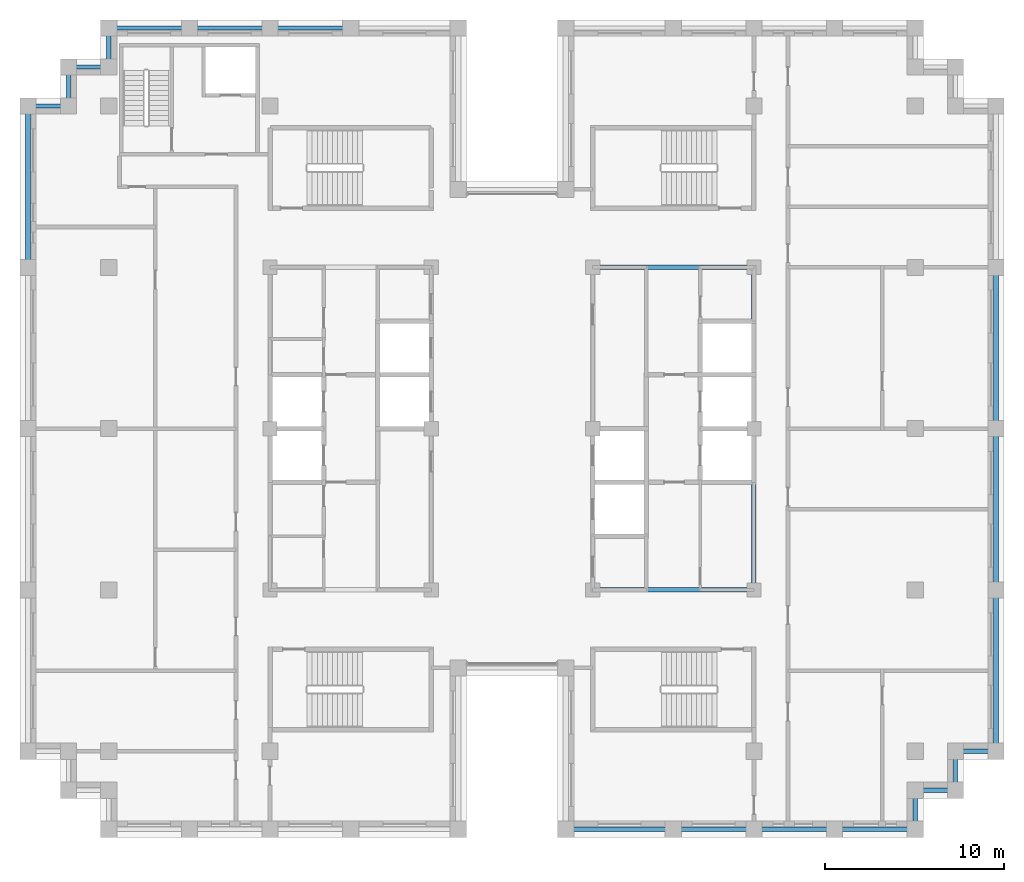
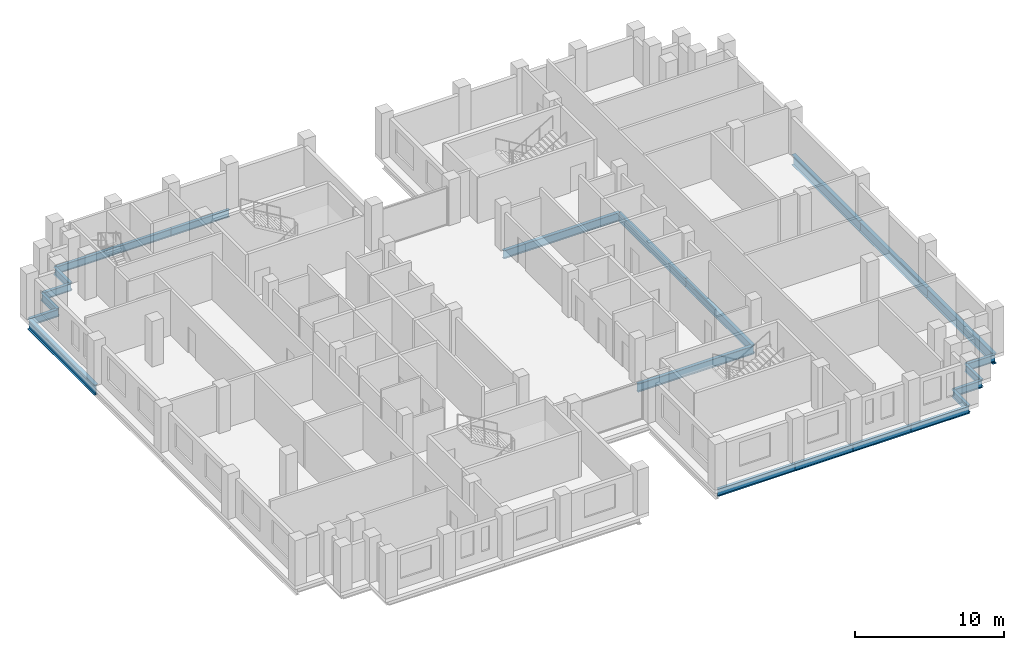
# One storey, part 3 of 13: 23 beams.
"""IFC4 building model written with IfcOpenShell, lengths in metres."""

from ifc_helpers import new_model, si_unit, direction, frame, origin, origin_2d, place, context, subcontext, project, spatial, i_section, extrude, material, material_profile, profile_set, type_object, element, save


model = new_model("IFC4")

# Units and contexts
model_context = context("Model", 3, precision=1e-05, world=origin(), true_north=direction((0.0, 1.0)))
body_context = subcontext(model_context, "Body", "Model", "MODEL_VIEW")
ifc_project = project(units=[si_unit("LENGTHUNIT", "METRE"), si_unit("AREAUNIT", "SQUARE_METRE"), si_unit("VOLUMEUNIT", "CUBIC_METRE"), si_unit("PLANEANGLEUNIT", "RADIAN"), si_unit("MASSUNIT", "GRAM", prefix="KILO")], contexts=[model_context])

# Site, building, storey
site_placement = place(None, origin())
site = spatial("IfcSite", under=ifc_project, at=site_placement, CompositionType="ELEMENT")
building_placement = place(site_placement, origin())
building = spatial("IfcBuilding", under=site, at=building_placement, Name="Corbelhall Arena Tower", CompositionType="ELEMENT")
storey_placement = place(building_placement, frame((0.0, 0.0, 254.0)))
storey = spatial("IfcBuildingStorey", under=building, at=storey_placement, Name="L54", CompositionType="ELEMENT", Elevation=254.0)

# Beams
ifc_material = material(Name="Steel ASTM A992 Gr50", Category="steel")
ifc_material_profile_1 = material_profile(ifc_material, i_section(OverallWidth=0.25390625, OverallDepth=0.67822265625, WebThickness=0.01171875, FlangeThickness=0.016357421875, at=origin_2d()))
ifc_profile_set_1 = profile_set([ifc_material_profile_1], Name="Steel ASTM A992 Gr50")
beam_type_1 = type_object("IfcBeamType", Name="ST-BEAM-W27x84", PredefinedType="BEAM", material=ifc_profile_set_1)
for number, where, z_axis, x_axis, name in (
    (1, (13.5, -9.0, -0.619140625), (0.0, 1.0, 0.0), (-1.0, 0.0, 0.0), "Beam CEE 9"),
    (2, (13.5, 0.0, -0.619140625), (0.0, 1.0, 0.0), (-1.0, 0.0, 0.0), "Beam CEE 10"),
    (3, (4.5, -9.0, -0.619140625), (1.0, 0.0, 0.0), (0.0, 1.0, 0.0), "Beam CEE 11"),
    (4, (4.5, 9.0, -0.619140625), (1.0, 0.0, 0.0), (0.0, 1.0, 0.0), "Beam CEE 12"),
):
    element("IfcBeam", number, at=place(storey_placement, frame(where, z_axis=z_axis, x_axis=x_axis)), inside=storey, type_object=beam_type_1, Name=name, PredefinedType="BEAM", context=body_context, shape_type="SweptSolid", body=[
        extrude(i_section(OverallWidth=0.25390625, OverallDepth=0.67822265625, WebThickness=0.01171875, FlangeThickness=0.016357421875, at=origin_2d()), origin(), (0.0, 0.0, 1.0), 9.0),
    ])
ifc_material_profile_2 = material_profile(ifc_material, i_section(OverallWidth=0.227783203125, OverallDepth=0.60205078125, WebThickness=0.010498046875, FlangeThickness=0.014892578125, at=origin_2d()))
ifc_profile_set_2 = profile_set([ifc_material_profile_2], Name="Steel ASTM A992 Gr50")
beam_type_2 = type_object("IfcBeamType", Name="ST-SPANDREL-W24x68", PredefinedType="SPANDREL", material=ifc_profile_set_2)
beam_1_placement = place(storey_placement, frame((27.0, -18.0, -0.5810546875), z_axis=(-1.0, 0.0, 0.0), x_axis=(0.0, -1.0, 0.0)))
element("IfcBeam", 5, at=beam_1_placement, inside=storey, type_object=beam_type_2, Name="Beam SP 5", PredefinedType="SPANDREL", context=body_context, shape_type="SweptSolid", body=[
    extrude(i_section(OverallWidth=0.227783203125, OverallDepth=0.60205078125, WebThickness=0.010498046875, FlangeThickness=0.014892578125, at=origin_2d()), origin(), (0.0, 0.0, 1.0), 2.25),
])
for number, where, z_axis, x_axis, name in (
    (6, (-13.5, 22.35009765625, -0.5810546875), (1.0, 0.0, 0.0), (0.0, 1.0, 0.0), "Beam SP 13"),
    (7, (-18.0, 22.35009765625, -0.5810546875), (1.0, 0.0, 0.0), (0.0, 1.0, 0.0), "Beam SP 14"),
    (8, (-22.5, 22.35009765625, -0.5810546875), (1.0, 0.0, 0.0), (0.0, 1.0, 0.0), "Beam SP 15"),
):
    element("IfcBeam", number, at=place(storey_placement, frame(where, z_axis=z_axis, x_axis=x_axis)), inside=storey, type_object=beam_type_2, Name=name, PredefinedType="SPANDREL", context=body_context, shape_type="SweptSolid", body=[
        extrude(i_section(OverallWidth=0.227783203125, OverallDepth=0.60205078125, WebThickness=0.010498046875, FlangeThickness=0.014892578125, at=origin_2d()), origin(), (0.0, 0.0, 1.0), 4.5),
    ])
beam_2_placement = place(storey_placement, frame((9.0, -22.35009765625, -0.5810546875), z_axis=(-1.0, 0.0, 0.0), x_axis=(0.0, -1.0, 0.0)))
element("IfcBeam", 9, at=beam_2_placement, inside=storey, type_object=beam_type_2, Name="Beam SP 17", PredefinedType="SPANDREL", context=body_context, shape_type="SweptSolid", body=[
    extrude(i_section(OverallWidth=0.227783203125, OverallDepth=0.60205078125, WebThickness=0.010498046875, FlangeThickness=0.014892578125, at=origin_2d()), origin(), (0.0, 0.0, 1.0), 6.0),
])
for number, where, z_axis, x_axis, name in (
    (10, (13.5, -22.35009765625, -0.5810546875), (-1.0, 0.0, 0.0), (0.0, -1.0, 0.0), "Beam SP 18"),
    (11, (18.0, -22.35009765625, -0.5810546875), (-1.0, 0.0, 0.0), (0.0, -1.0, 0.0), "Beam SP 19"),
    (12, (22.5, -22.35009765625, -0.5810546875), (-1.0, 0.0, 0.0), (0.0, -1.0, 0.0), "Beam SP 20"),
):
    element("IfcBeam", number, at=place(storey_placement, frame(where, z_axis=z_axis, x_axis=x_axis)), inside=storey, type_object=beam_type_2, Name=name, PredefinedType="SPANDREL", context=body_context, shape_type="SweptSolid", body=[
        extrude(i_section(OverallWidth=0.227783203125, OverallDepth=0.60205078125, WebThickness=0.010498046875, FlangeThickness=0.014892578125, at=origin_2d()), origin(), (0.0, 0.0, 1.0), 4.5),
    ])
beam_3_placement = place(storey_placement, frame((-27.0, 18.0, -0.5810546875), z_axis=(1.0, 0.0, 0.0), x_axis=(0.0, 1.0, 0.0)))
element("IfcBeam", 13, at=beam_3_placement, inside=storey, type_object=beam_type_2, Name="Beam SP 28", PredefinedType="SPANDREL", context=body_context, shape_type="SweptSolid", body=[
    extrude(i_section(OverallWidth=0.227783203125, OverallDepth=0.60205078125, WebThickness=0.010498046875, FlangeThickness=0.014892578125, at=origin_2d()), origin(), (0.0, 0.0, 1.0), 2.25),
])
beam_4_placement = place(storey_placement, frame((-22.5, 20.175048828125, -0.5810546875), z_axis=(0.0, 1.0, 0.0), x_axis=(-1.0, 0.0, 0.0)))
element("IfcBeam", 14, at=beam_4_placement, inside=storey, type_object=beam_type_2, Name="Beam SP 38", PredefinedType="SPANDREL", context=body_context, shape_type="SweptSolid", body=[
    extrude(i_section(OverallWidth=0.227783203125, OverallDepth=0.60205078125, WebThickness=0.010498046875, FlangeThickness=0.014892578125, at=origin_2d()), origin(), (0.0, 0.0, 1.0), 2.175048828125),
])
beam_5_placement = place(storey_placement, frame((-24.75, 20.175048828125, -0.5810546875), z_axis=(1.0, 0.0, 0.0), x_axis=(0.0, 1.0, 0.0)))
element("IfcBeam", 15, at=beam_5_placement, inside=storey, type_object=beam_type_2, Name="Beam SP 39", PredefinedType="SPANDREL", context=body_context, shape_type="SweptSolid", body=[
    extrude(i_section(OverallWidth=0.227783203125, OverallDepth=0.60205078125, WebThickness=0.010498046875, FlangeThickness=0.014892578125, at=origin_2d()), origin(), (0.0, 0.0, 1.0), 2.25),
])
for number, where, z_axis, x_axis, name in (
    (16, (-24.75, 18.0, -0.5810546875), (0.0, 1.0, 0.0), (-1.0, 0.0, 0.0), "Beam SP 40"),
    (17, (22.5, -20.175048828125, -0.5810546875), (0.0, -1.0, 0.0), (1.0, 0.0, 0.0), "Beam SP 41"),
):
    element("IfcBeam", number, at=place(storey_placement, frame(where, z_axis=z_axis, x_axis=x_axis)), inside=storey, type_object=beam_type_2, Name=name, PredefinedType="SPANDREL", context=body_context, shape_type="SweptSolid", body=[
        extrude(i_section(OverallWidth=0.227783203125, OverallDepth=0.60205078125, WebThickness=0.010498046875, FlangeThickness=0.014892578125, at=origin_2d()), origin(), (0.0, 0.0, 1.0), 2.175048828125),
    ])
beam_6_placement = place(storey_placement, frame((24.75, -20.175048828125, -0.5810546875), z_axis=(-1.0, 0.0, 0.0), x_axis=(0.0, -1.0, 0.0)))
element("IfcBeam", 18, at=beam_6_placement, inside=storey, type_object=beam_type_2, Name="Beam SP 42", PredefinedType="SPANDREL", context=body_context, shape_type="SweptSolid", body=[
    extrude(i_section(OverallWidth=0.227783203125, OverallDepth=0.60205078125, WebThickness=0.010498046875, FlangeThickness=0.014892578125, at=origin_2d()), origin(), (0.0, 0.0, 1.0), 2.25),
])
beam_7_placement = place(storey_placement, frame((24.75, -18.0, -0.5810546875), z_axis=(0.0, -1.0, 0.0), x_axis=(1.0, 0.0, 0.0)))
element("IfcBeam", 19, at=beam_7_placement, inside=storey, type_object=beam_type_2, Name="Beam SP 43", PredefinedType="SPANDREL", context=body_context, shape_type="SweptSolid", body=[
    extrude(i_section(OverallWidth=0.227783203125, OverallDepth=0.60205078125, WebThickness=0.010498046875, FlangeThickness=0.014892578125, at=origin_2d()), origin(), (0.0, 0.0, 1.0), 2.175048828125),
])
ifc_material_profile_3 = material_profile(ifc_material, i_section(OverallWidth=0.2919921875, OverallDepth=0.845703125, WebThickness=0.015380859375, FlangeThickness=0.0244140625, at=origin_2d()))
ifc_profile_set_3 = profile_set([ifc_material_profile_3], Name="Steel ASTM A992 Gr50")
beam_type_3 = type_object("IfcBeamType", Name="ST-SPANDREL-W33x141", PredefinedType="SPANDREL", material=ifc_profile_set_3)
for number, where, z_axis, x_axis, name in (
    (20, (27.0, 0.0, -0.702880859375), (0.0, -1.0, 0.0), (1.0, 0.0, 0.0), "Beam SP 1"),
    (21, (27.0, 9.0, -0.702880859375), (0.0, -1.0, 0.0), (1.0, 0.0, 0.0), "Beam SP 2"),
    (22, (27.0, -9.0, -0.702880859375), (0.0, -1.0, 0.0), (1.0, 0.0, 0.0), "Beam SP 4"),
    (23, (-27.0, 9.0, -0.702880859375), (0.0, 1.0, 0.0), (-1.0, 0.0, 0.0), "Beam SP 27"),
):
    element("IfcBeam", number, at=place(storey_placement, frame(where, z_axis=z_axis, x_axis=x_axis)), inside=storey, type_object=beam_type_3, Name=name, PredefinedType="SPANDREL", context=body_context, shape_type="SweptSolid", body=[
        extrude(i_section(OverallWidth=0.2919921875, OverallDepth=0.845703125, WebThickness=0.015380859375, FlangeThickness=0.0244140625, at=origin_2d()), origin(), (0.0, 0.0, 1.0), 9.0),
    ])

save(model, "model.ifc")
